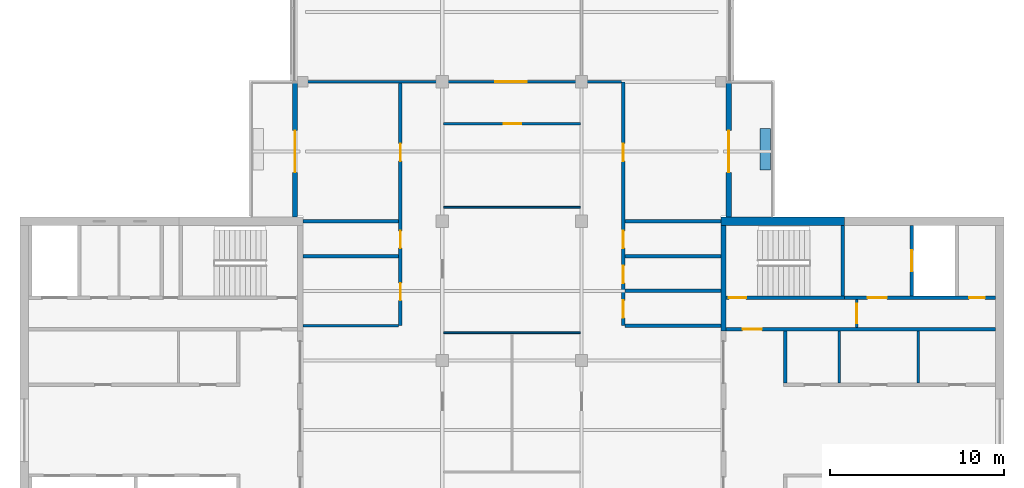
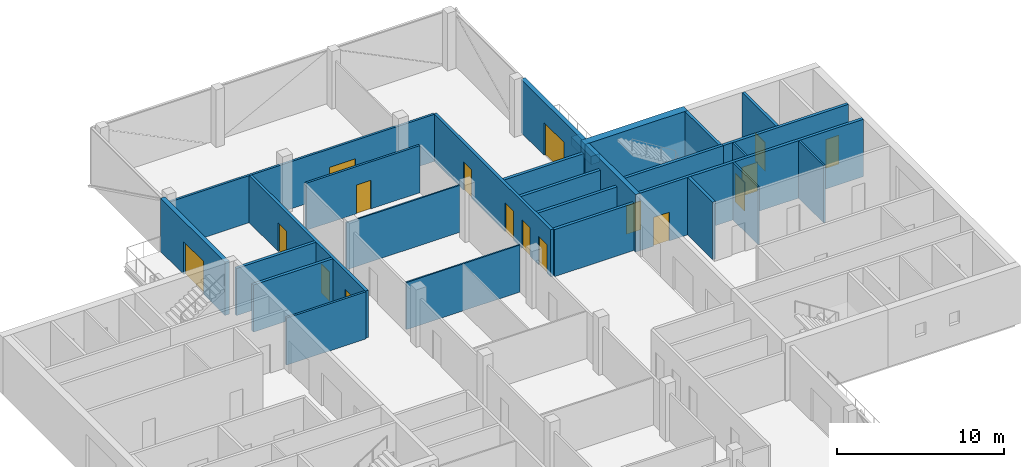
# One storey, part 8 of 12: 27 walls, 17 doors, 17 openings.
"""IFC4 building model written with IfcOpenShell, lengths in metres."""

from ifc_helpers import new_model, si_unit, direction, frame, frame_2d, origin, place, context, subcontext, project, spatial, rectangle, extrude, material, layer, layer_set, constituent, constituent_set, type_object, element, fill, save


model = new_model("IFC4")

# Units and contexts
model_context = context("Model", 3, precision=1e-05, world=origin(), true_north=direction((0.0, 1.0)))
body_context = subcontext(model_context, "Body", "Model", "MODEL_VIEW")
ifc_project = project(units=[si_unit("LENGTHUNIT", "METRE"), si_unit("AREAUNIT", "SQUARE_METRE"), si_unit("VOLUMEUNIT", "CUBIC_METRE"), si_unit("PLANEANGLEUNIT", "RADIAN"), si_unit("MASSUNIT", "GRAM", prefix="KILO")], contexts=[model_context])

# Site, building, storey
site_placement = place(None, origin())
site = spatial("IfcSite", under=ifc_project, at=site_placement, CompositionType="ELEMENT")
building_placement = place(site_placement, origin())
building = spatial("IfcBuilding", under=site, at=building_placement, Name="Crosswind Convention Tower", CompositionType="ELEMENT")
storey_placement = place(building_placement, frame((0.0, 0.0, 245.10009765625)))
storey = spatial("IfcBuildingStorey", under=building, at=storey_placement, Name="L52", CompositionType="ELEMENT", Elevation=245.10009765625)

# Wall, openings, doors
ifc_material_1 = material(Name="Concrete blockwork", Category="masonry")
ifc_layer_1 = layer(ifc_material_1, 0.199951171875)
ifc_layer_set_1 = layer_set([ifc_layer_1], Name="COMPARTMENT WALL 200 BLOCKWORK")
wall_type_1 = type_object("IfcWallType", Name="COMPARTMENT WALL 200 BLOCKWORK", PredefinedType="SOLIDWALL", material=ifc_layer_set_1)
wall_1_placement = place(storey_placement, frame((118.60009765625, 106.0, 0.0), z_axis=(0.0, 0.0, 1.0), x_axis=(0.0, 1.0, 0.0)))
wall_1 = element("IfcWall", 1, at=wall_1_placement, inside=storey, type_object=wall_type_1, Name="Compartment wall WT42", PredefinedType="SOLIDWALL", context=body_context, shape_type="SweptSolid", body=[
    extrude(rectangle(XDim=13.925048828125, YDim=0.199951171875, at=frame_2d((6.96240234375, 0.0))), origin(), (0.0, 0.0, 1.0), 3.442626953125),
])
opening_1_placement = place(wall_1_placement, frame((1.449951171875, 0.0, 0.0)))
opening_1 = element("IfcOpeningElement", 2, at=opening_1_placement, cuts=wall_1, Name="Opening L52-58", PredefinedType="OPENING", context=body_context, shape_type="SweptSolid", body=[
    extrude(rectangle(XDim=1.0, YDim=2.10009765625, at=frame_2d((0.5, 1.050048828125))), frame((0.0, 0.10986328125, 0.0), z_axis=(0.0, -1.0, 0.0), x_axis=(1.0, 0.0, 0.0)), (0.0, 0.0, 1.0), 0.219970703125),
])
opening_2_placement = place(wall_1_placement, frame((4.449951171875, 0.0, 0.0)))
opening_2 = element("IfcOpeningElement", 3, at=opening_2_placement, cuts=wall_1, Name="Opening L52-59", PredefinedType="OPENING", context=body_context, shape_type="SweptSolid", body=[
    extrude(rectangle(XDim=1.0, YDim=2.10009765625, at=frame_2d((0.5, 1.050048828125))), frame((0.0, 0.10986328125, 0.0), z_axis=(0.0, -1.0, 0.0), x_axis=(1.0, 0.0, 0.0)), (0.0, 0.0, 1.0), 0.219970703125),
])
opening_3_placement = place(wall_1_placement, frame((9.449951171875, 0.0, 0.0)))
opening_3 = element("IfcOpeningElement", 4, at=opening_3_placement, cuts=wall_1, Name="Opening L52-60", PredefinedType="OPENING", context=body_context, shape_type="SweptSolid", body=[
    extrude(rectangle(XDim=1.0, YDim=2.10009765625, at=frame_2d((0.5, 1.050048828125))), frame((0.0, 0.10986328125, 0.0), z_axis=(0.0, -1.0, 0.0), x_axis=(1.0, 0.0, 0.0)), (0.0, 0.0, 1.0), 0.219970703125),
])
ifc_material_2 = material(Name="Steel fire door", Category="steel")
door_type_1 = type_object("IfcDoorType", Name="PLANT ROOM DOOR 1000X2100 FD60", OperationType="NOTDEFINED", PredefinedType="DOOR", material=ifc_material_2)
door_1_placement = place(opening_2_placement, origin())
door_1 = element("IfcDoor", 5, at=door_1_placement, inside=storey, type_object=door_type_1, Name="Door L52-59", ObjectType="D43", OperationType="SINGLE_SWING_LEFT", OverallHeight=2.10009765625, OverallWidth=1.0, PredefinedType="DOOR", context=body_context, shape_type="SweptSolid", body=[
    extrude(rectangle(XDim=1.0, YDim=2.10009765625, at=frame_2d((0.5, 1.050048828125))), frame((0.0, 0.02490234375, 0.0), z_axis=(0.0, -1.0, 0.0), x_axis=(1.0, 0.0, 0.0)), (0.0, 0.0, 1.0), 0.050048828125),
])
fill(opening_2, door_1)
ifc_material_3 = material(Name="Timber fire door", Category="wood")
door_type_2 = type_object("IfcDoorType", Name="TENANCY ENTRANCE DOOR 1000X2100 FD30S", OperationType="NOTDEFINED", PredefinedType="DOOR", material=ifc_material_3)
door_2_placement = place(opening_1_placement, origin())
door_2 = element("IfcDoor", 6, at=door_2_placement, inside=storey, type_object=door_type_2, Name="Door L52-58", ObjectType="D41", OperationType="SINGLE_SWING_LEFT", OverallHeight=2.10009765625, OverallWidth=1.0, PredefinedType="DOOR", context=body_context, shape_type="SweptSolid", body=[
    extrude(rectangle(XDim=1.0, YDim=2.10009765625, at=frame_2d((0.5, 1.050048828125))), frame((0.0, 0.02490234375, 0.0), z_axis=(0.0, -1.0, 0.0), x_axis=(1.0, 0.0, 0.0)), (0.0, 0.0, 1.0), 0.050048828125),
])
fill(opening_1, door_2)
door_3_placement = place(opening_3_placement, origin())
door_3 = element("IfcDoor", 7, at=door_3_placement, inside=storey, type_object=door_type_2, Name="Door L52-60", ObjectType="D41", OperationType="SINGLE_SWING_LEFT", OverallHeight=2.10009765625, OverallWidth=1.0, PredefinedType="DOOR", context=body_context, shape_type="SweptSolid", body=[
    extrude(rectangle(XDim=1.0, YDim=2.10009765625, at=frame_2d((0.5, 1.050048828125))), frame((0.0, 0.02490234375, 0.0), z_axis=(0.0, -1.0, 0.0), x_axis=(1.0, 0.0, 0.0)), (0.0, 0.0, 1.0), 0.050048828125),
])
fill(opening_3, door_3)

wall_2_placement = place(storey_placement, frame((131.39990234375, 106.0, 0.0), z_axis=(0.0, 0.0, 1.0), x_axis=(0.0, 1.0, 0.0)))
wall_2 = element("IfcWall", 8, at=wall_2_placement, inside=storey, type_object=wall_type_1, Name="Compartment wall WT42", PredefinedType="SOLIDWALL", context=body_context, shape_type="SweptSolid", body=[
    extrude(rectangle(XDim=14.0, YDim=0.199951171875, at=frame_2d((7.0, 0.0))), origin(), (0.0, 0.0, 1.0), 3.442626953125),
])
opening_4_placement = place(wall_2_placement, frame((0.449951171875, 0.0, 0.0)))
opening_4 = element("IfcOpeningElement", 9, at=opening_4_placement, cuts=wall_2, Name="Opening L52-50", PredefinedType="OPENING", context=body_context, shape_type="SweptSolid", body=[
    extrude(rectangle(XDim=1.0, YDim=2.10009765625, at=frame_2d((0.5, 1.050048828125))), frame((0.0, 0.10986328125, 0.0), z_axis=(0.0, -1.0, 0.0), x_axis=(1.0, 0.0, 0.0)), (0.0, 0.0, 1.0), 0.219970703125),
])
opening_5_placement = place(wall_2_placement, frame((2.449951171875, 0.0, 0.0)))
opening_5 = element("IfcOpeningElement", 10, at=opening_5_placement, cuts=wall_2, Name="Opening L52-51", PredefinedType="OPENING", context=body_context, shape_type="SweptSolid", body=[
    extrude(rectangle(XDim=1.0, YDim=2.10009765625, at=frame_2d((0.5, 1.050048828125))), frame((0.0, 0.10986328125, 0.0), z_axis=(0.0, -1.0, 0.0), x_axis=(1.0, 0.0, 0.0)), (0.0, 0.0, 1.0), 0.219970703125),
])
opening_6_placement = place(wall_2_placement, frame((4.449951171875, 0.0, 0.0)))
opening_6 = element("IfcOpeningElement", 11, at=opening_6_placement, cuts=wall_2, Name="Opening L52-52", PredefinedType="OPENING", context=body_context, shape_type="SweptSolid", body=[
    extrude(rectangle(XDim=1.0, YDim=2.10009765625, at=frame_2d((0.5, 1.050048828125))), frame((0.0, 0.10986328125, 0.0), z_axis=(0.0, -1.0, 0.0), x_axis=(1.0, 0.0, 0.0)), (0.0, 0.0, 1.0), 0.219970703125),
])
opening_7_placement = place(wall_2_placement, frame((9.449951171875, 0.0, 0.0)))
opening_7 = element("IfcOpeningElement", 12, at=opening_7_placement, cuts=wall_2, Name="Opening L52-53", PredefinedType="OPENING", context=body_context, shape_type="SweptSolid", body=[
    extrude(rectangle(XDim=1.0, YDim=2.10009765625, at=frame_2d((0.5, 1.050048828125))), frame((0.0, 0.10986328125, 0.0), z_axis=(0.0, -1.0, 0.0), x_axis=(1.0, 0.0, 0.0)), (0.0, 0.0, 1.0), 0.219970703125),
])
door_4_placement = place(opening_4_placement, frame((1.0, 0.0, 0.0), z_axis=(0.0, 0.0, 1.0), x_axis=(-1.0, 0.0, 0.0)))
door_4 = element("IfcDoor", 13, at=door_4_placement, inside=storey, type_object=door_type_1, Name="Door L52-50", ObjectType="D43", OperationType="SINGLE_SWING_RIGHT", OverallHeight=2.10009765625, OverallWidth=1.0, PredefinedType="DOOR", context=body_context, shape_type="SweptSolid", body=[
    extrude(rectangle(XDim=1.0, YDim=2.10009765625, at=frame_2d((0.5, 1.050048828125))), frame((0.0, 0.02490234375, 0.0), z_axis=(0.0, -1.0, 0.0), x_axis=(1.0, 0.0, 0.0)), (0.0, 0.0, 1.0), 0.050048828125),
])
fill(opening_4, door_4)
door_5_placement = place(opening_6_placement, frame((1.0, 0.0, 0.0), z_axis=(0.0, 0.0, 1.0), x_axis=(-1.0, 0.0, 0.0)))
door_5 = element("IfcDoor", 14, at=door_5_placement, inside=storey, type_object=door_type_1, Name="Door L52-52", ObjectType="D43", OperationType="SINGLE_SWING_RIGHT", OverallHeight=2.10009765625, OverallWidth=1.0, PredefinedType="DOOR", context=body_context, shape_type="SweptSolid", body=[
    extrude(rectangle(XDim=1.0, YDim=2.10009765625, at=frame_2d((0.5, 1.050048828125))), frame((0.0, 0.02490234375, 0.0), z_axis=(0.0, -1.0, 0.0), x_axis=(1.0, 0.0, 0.0)), (0.0, 0.0, 1.0), 0.050048828125),
])
fill(opening_6, door_5)
door_6_placement = place(opening_5_placement, frame((1.0, 0.0, 0.0), z_axis=(0.0, 0.0, 1.0), x_axis=(-1.0, 0.0, 0.0)))
door_6 = element("IfcDoor", 15, at=door_6_placement, inside=storey, type_object=door_type_2, Name="Door L52-51", ObjectType="D41", OperationType="SINGLE_SWING_RIGHT", OverallHeight=2.10009765625, OverallWidth=1.0, PredefinedType="DOOR", context=body_context, shape_type="SweptSolid", body=[
    extrude(rectangle(XDim=1.0, YDim=2.10009765625, at=frame_2d((0.5, 1.050048828125))), frame((0.0, 0.02490234375, 0.0), z_axis=(0.0, -1.0, 0.0), x_axis=(1.0, 0.0, 0.0)), (0.0, 0.0, 1.0), 0.050048828125),
])
fill(opening_5, door_6)
door_7_placement = place(opening_7_placement, origin())
door_7 = element("IfcDoor", 16, at=door_7_placement, inside=storey, type_object=door_type_2, Name="Door L52-53", ObjectType="D41", OperationType="SINGLE_SWING_RIGHT", OverallHeight=2.10009765625, OverallWidth=1.0, PredefinedType="DOOR", context=body_context, shape_type="SweptSolid", body=[
    extrude(rectangle(XDim=1.0, YDim=2.10009765625, at=frame_2d((0.5, 1.050048828125))), frame((0.0, 0.02490234375, 0.0), z_axis=(0.0, -1.0, 0.0), x_axis=(1.0, 0.0, 0.0)), (0.0, 0.0, 1.0), 0.050048828125),
])
fill(opening_7, door_7)

# Walls
for number, where, z_axis, x_axis, name in (
    (17, (131.5, 106.0, 0.0), (0.0, 0.0, 1.0), (1.0, 0.0, 0.0), "Compartment wall WT42"),
    (18, (131.5, 108.0, 0.0), (0.0, 0.0, 1.0), (1.0, 0.0, 0.0), "Compartment wall WT42"),
    (19, (113.0, 110.0, 0.0), (0.0, 0.0, 1.0), (1.0, 0.0, 0.0), "Compartment wall WT42"),
    (20, (131.5, 110.0, 0.0), (0.0, 0.0, 1.0), (1.0, 0.0, 0.0), "Compartment wall WT42"),
    (21, (113.0, 112.0, 0.0), (0.0, 0.0, 1.0), (1.0, 0.0, 0.0), "Compartment wall WT42"),
    (22, (131.5, 112.0, 0.0), (0.0, 0.0, 1.0), (1.0, 0.0, 0.0), "Compartment wall WT42"),
):
    element("IfcWall", number, at=place(storey_placement, frame(where, z_axis=z_axis, x_axis=x_axis)), inside=storey, type_object=wall_type_1, Name=name, PredefinedType="SOLIDWALL", context=body_context, shape_type="SweptSolid", body=[
        extrude(rectangle(XDim=5.5, YDim=0.199951171875, at=frame_2d((2.75, 0.0))), origin(), (0.0, 0.0, 1.0), 3.442626953125),
    ])
ifc_material_4 = material(Name="Concrete C50/60", Category="concrete")
ifc_layer_2 = layer(ifc_material_4, 0.300048828125)
ifc_layer_set_2 = layer_set([ifc_layer_2], Name="Concrete C50/60")
wall_type_2 = type_object("IfcWallType", Name="Concrete inner core wall 300", PredefinedType="SHEAR", material=ifc_layer_set_2)
wall_3_placement = place(storey_placement, frame((137.14990234375, 105.699951171875, 0.0), z_axis=(0.0, 0.0, 1.0), x_axis=(0.0, 1.0, 0.0)))
element("IfcWall", 23, at=wall_3_placement, inside=storey, type_object=wall_type_2, Name="Wall EP E L52", PredefinedType="SHEAR", context=body_context, shape_type="SweptSolid", body=[
    extrude(rectangle(XDim=6.050048828125, YDim=0.300048828125, at=frame_2d((3.02490234375, 0.0))), origin(), (0.0, 0.0, 1.0), 4.199951171875),
])
ifc_layer_3 = layer(ifc_material_4, 0.199951171875)
ifc_layer_set_3 = layer_set([ifc_layer_3], Name="Concrete C50/60")
wall_type_3 = type_object("IfcWallType", Name="Concrete shaft and stair wall 200", PredefinedType="SHEAR", material=ifc_layer_set_3)
wall_4_placement = place(storey_placement, frame((140.699951171875, 102.699951171875, 0.0), z_axis=(0.0, 0.0, 1.0), x_axis=(0.0, 1.0, 0.0)))
element("IfcWall", 24, at=wall_4_placement, inside=storey, type_object=wall_type_3, Name="Wall RPEND E L52", PredefinedType="SHEAR", context=body_context, shape_type="SweptSolid", body=[
    extrude(rectangle(XDim=3.0, YDim=0.199951171875, at=frame_2d((1.5, 0.0))), origin(), (0.0, 0.0, 1.0), 4.199951171875),
])

# Wall, opening, door
wall_5_placement = place(storey_placement, frame((137.300048828125, 105.800048828125, 0.0), z_axis=(0.0, 0.0, 1.0), x_axis=(1.0, 0.0, 0.0)))
wall_5 = element("IfcWall", 25, at=wall_5_placement, inside=storey, type_object=wall_type_3, Name="Wall HP E L52", PredefinedType="SHEAR", context=body_context, shape_type="SweptSolid", body=[
    extrude(rectangle(XDim=15.449951171875, YDim=0.199951171875, at=frame_2d((7.72509765625, 0.0))), origin(), (0.0, 0.0, 1.0), 4.199951171875),
])
opening_8_placement = place(wall_5_placement, frame((0.949951171875, 0.0, 0.0)))
opening_8 = element("IfcOpeningElement", 26, at=opening_8_placement, cuts=wall_5, Name="Opening D104", PredefinedType="OPENING", context=body_context, shape_type="SweptSolid", body=[
    extrude(rectangle(XDim=1.10009765625, YDim=2.10009765625, at=frame_2d((0.550048828125, 1.050048828125))), frame((0.0, 0.10986328125, 0.0), z_axis=(0.0, -1.0, 0.0), x_axis=(1.0, 0.0, 0.0)), (0.0, 0.0, 1.0), 0.219970703125),
])
door_type_3 = type_object("IfcDoorType", Name="Fire-rated single door 1100x2100", OperationType="NOTDEFINED", PredefinedType="DOOR", material=ifc_material_2)
door_8_placement = place(opening_8_placement, origin())
door_8 = element("IfcDoor", 27, at=door_8_placement, inside=storey, type_object=door_type_3, Name="Corridor door L52", ObjectType="D104", OperationType="SINGLE_SWING_LEFT", OverallHeight=2.10009765625, OverallWidth=1.10009765625, PredefinedType="DOOR", context=body_context, shape_type="SweptSolid", body=[
    extrude(rectangle(XDim=1.10009765625, YDim=2.10009765625, at=frame_2d((0.550048828125, 1.050048828125))), frame((0.0, 0.02490234375, 0.0), z_axis=(0.0, -1.0, 0.0), x_axis=(1.0, 0.0, 0.0)), (0.0, 0.0, 1.0), 0.050048828125),
])
fill(opening_8, door_8)

# Wall
wall_6_placement = place(storey_placement, frame((144.0, 107.699951171875, 0.0), z_axis=(0.0, 0.0, 1.0), x_axis=(0.0, 1.0, 0.0)))
element("IfcWall", 28, at=wall_6_placement, inside=storey, type_object=wall_type_3, Name="Wall PSE E L52", PredefinedType="SHEAR", context=body_context, shape_type="SweptSolid", body=[
    extrude(rectangle(XDim=4.050048828125, YDim=0.199951171875, at=frame_2d((2.02490234375, 0.0))), origin(), (0.0, 0.0, 1.0), 4.199951171875),
])

# Wall, opening, door
wall_7_placement = place(storey_placement, frame((147.949951171875, 107.699951171875, 0.0), z_axis=(0.0, 0.0, 1.0), x_axis=(0.0, 1.0, 0.0)))
wall_7 = element("IfcWall", 29, at=wall_7_placement, inside=storey, type_object=wall_type_3, Name="Wall PFLW E L52", PredefinedType="SHEAR", context=body_context, shape_type="SweptSolid", body=[
    extrude(rectangle(XDim=4.050048828125, YDim=0.199951171875, at=frame_2d((2.02490234375, 0.0))), origin(), (0.0, 0.0, 1.0), 4.199951171875),
])
opening_9_placement = place(wall_7_placement, frame((1.425048828125, 0.0, 0.0)))
opening_9 = element("IfcOpeningElement", 30, at=opening_9_placement, cuts=wall_7, Name="Opening LD1", PredefinedType="OPENING", context=body_context, shape_type="SweptSolid", body=[
    extrude(rectangle(XDim=1.199951171875, YDim=2.10009765625, at=frame_2d((0.60009765625, 1.050048828125))), frame((0.0, 0.10986328125, 0.0), z_axis=(0.0, -1.0, 0.0), x_axis=(1.0, 0.0, 0.0)), (0.0, 0.0, 1.0), 0.219970703125),
])
ifc_material_5 = material(Name="Stainless steel", Category="steel")
door_type_4 = type_object("IfcDoorType", Name="Lift landing door 1200x2100", OperationType="DOUBLE_DOOR_SLIDING", PredefinedType="DOOR", material=ifc_material_5)
door_9_placement = place(opening_9_placement, origin())
door_9 = element("IfcDoor", 31, at=door_9_placement, inside=storey, type_object=door_type_4, Name="Landing door FF1 L52", ObjectType="LD1", OperationType="DOUBLE_DOOR_SLIDING", OverallHeight=2.10009765625, OverallWidth=1.199951171875, PredefinedType="DOOR", context=body_context, shape_type="SweptSolid", body=[
    extrude(rectangle(XDim=1.199951171875, YDim=2.10009765625, at=frame_2d((0.60009765625, 1.050048828125))), frame((0.0, 0.02490234375, 0.0), z_axis=(0.0, -1.0, 0.0), x_axis=(1.0, 0.0, 0.0)), (0.0, 0.0, 1.0), 0.050048828125),
])
fill(opening_9, door_9)

wall_8_placement = place(storey_placement, frame((137.300048828125, 107.60009765625, 0.0), z_axis=(0.0, 0.0, 1.0), x_axis=(1.0, 0.0, 0.0)))
wall_8 = element("IfcWall", 32, at=wall_8_placement, inside=storey, type_object=wall_type_3, Name="Wall PCW E L52", PredefinedType="SHEAR", context=body_context, shape_type="SweptSolid", body=[
    extrude(rectangle(XDim=6.800048828125, YDim=0.199951171875, at=frame_2d((3.39990234375, 0.0))), origin(), (0.0, 0.0, 1.0), 4.199951171875),
])
opening_10_placement = place(wall_8_placement, frame((0.14990234375, 0.0, 0.0)))
opening_10 = element("IfcOpeningElement", 33, at=opening_10_placement, cuts=wall_8, Name="Opening D103", PredefinedType="OPENING", context=body_context, shape_type="SweptSolid", body=[
    extrude(rectangle(XDim=1.0, YDim=2.10009765625, at=frame_2d((0.5, 1.050048828125))), frame((0.0, 0.10986328125, 0.0), z_axis=(0.0, -1.0, 0.0), x_axis=(1.0, 0.0, 0.0)), (0.0, 0.0, 1.0), 0.219970703125),
])
door_type_5 = type_object("IfcDoorType", Name="Fire-rated single door 1000x2100", OperationType="NOTDEFINED", PredefinedType="DOOR", material=ifc_material_2)
door_10_placement = place(opening_10_placement, origin())
door_10 = element("IfcDoor", 34, at=door_10_placement, inside=storey, type_object=door_type_5, Name="Stair ST1 door L52", ObjectType="D103", OperationType="SINGLE_SWING_LEFT", OverallHeight=2.10009765625, OverallWidth=1.0, PredefinedType="DOOR", context=body_context, shape_type="SweptSolid", body=[
    extrude(rectangle(XDim=1.0, YDim=2.10009765625, at=frame_2d((0.5, 1.050048828125))), frame((0.0, 0.02490234375, 0.0), z_axis=(0.0, -1.0, 0.0), x_axis=(1.0, 0.0, 0.0)), (0.0, 0.0, 1.0), 0.050048828125),
])
fill(opening_10, door_10)

# Wall, openings, doors
wall_9_placement = place(storey_placement, frame((144.10009765625, 107.60009765625, 0.0), z_axis=(0.0, 0.0, 1.0), x_axis=(1.0, 0.0, 0.0)))
wall_9 = element("IfcWall", 35, at=wall_9_placement, inside=storey, type_object=wall_type_3, Name="Wall PCX E L52", PredefinedType="SHEAR", context=body_context, shape_type="SweptSolid", body=[
    extrude(rectangle(XDim=8.64990234375, YDim=0.199951171875, at=frame_2d((4.324951171875, 0.0))), origin(), (0.0, 0.0, 1.0), 4.199951171875),
])
opening_11_placement = place(wall_9_placement, frame((1.324951171875, 0.0, 0.0)))
opening_11 = element("IfcOpeningElement", 36, at=opening_11_placement, cuts=wall_9, Name="Opening D104", PredefinedType="OPENING", context=body_context, shape_type="SweptSolid", body=[
    extrude(rectangle(XDim=1.10009765625, YDim=2.10009765625, at=frame_2d((0.550048828125, 1.050048828125))), frame((0.0, 0.10986328125, 0.0), z_axis=(0.0, -1.0, 0.0), x_axis=(1.0, 0.0, 0.0)), (0.0, 0.0, 1.0), 0.219970703125),
])
opening_12_placement = place(wall_9_placement, frame((7.14990234375, 0.0, 0.0)))
opening_12 = element("IfcOpeningElement", 37, at=opening_12_placement, cuts=wall_9, Name="Opening D106", PredefinedType="OPENING", context=body_context, shape_type="SweptSolid", body=[
    extrude(rectangle(XDim=0.89990234375, YDim=2.10009765625, at=frame_2d((0.449951171875, 1.050048828125))), frame((0.0, 0.10986328125, 0.0), z_axis=(0.0, -1.0, 0.0), x_axis=(1.0, 0.0, 0.0)), (0.0, 0.0, 1.0), 0.219970703125),
])
door_11_placement = place(opening_11_placement, origin())
door_11 = element("IfcDoor", 38, at=door_11_placement, inside=storey, type_object=door_type_3, Name="Fire-fighting lobby FF1 door L52", ObjectType="D104", OperationType="SINGLE_SWING_RIGHT", OverallHeight=2.10009765625, OverallWidth=1.10009765625, PredefinedType="DOOR", context=body_context, shape_type="SweptSolid", body=[
    extrude(rectangle(XDim=1.10009765625, YDim=2.10009765625, at=frame_2d((0.550048828125, 1.050048828125))), frame((0.0, 0.02490234375, 0.0), z_axis=(0.0, -1.0, 0.0), x_axis=(1.0, 0.0, 0.0)), (0.0, 0.0, 1.0), 0.050048828125),
])
fill(opening_11, door_11)
ifc_material_6 = material(Name="Timber door", Category="wood")
door_type_6 = type_object("IfcDoorType", Name="Single leaf door 900x2100", OperationType="NOTDEFINED", PredefinedType="DOOR", material=ifc_material_6)
door_12_placement = place(opening_12_placement, origin())
door_12 = element("IfcDoor", 39, at=door_12_placement, inside=storey, type_object=door_type_6, Name="Door to electrical room L52", ObjectType="D106", OperationType="SINGLE_SWING_RIGHT", OverallHeight=2.10009765625, OverallWidth=0.89990234375, PredefinedType="DOOR", context=body_context, shape_type="SweptSolid", body=[
    extrude(rectangle(XDim=0.89990234375, YDim=2.10009765625, at=frame_2d((0.449951171875, 1.050048828125))), frame((0.0, 0.02490234375, 0.0), z_axis=(0.0, -1.0, 0.0), x_axis=(1.0, 0.0, 0.0)), (0.0, 0.0, 1.0), 0.050048828125),
])
fill(opening_12, door_12)

# Walls
ifc_material_7 = material(Name="Gypsum plasterboard partition", Category="gypsum")
ifc_layer_4 = layer(ifc_material_7, 0.125)
ifc_layer_set_4 = layer_set([ifc_layer_4], Name="Drywall partition wall 125")
wall_type_4 = type_object("IfcWallType", Name="Drywall partition wall 125", PredefinedType="PARTITIONING", material=ifc_layer_set_4)
for number, where, z_axis, x_axis, name in (
    (40, (143.78759765625, 102.699951171875, 0.0), (0.0, 0.0, 1.0), (0.0, 1.0, 0.0), "Wall RPP1 E L52"),
    (41, (148.32861328125, 102.699951171875, 0.0), (0.0, 0.0, 1.0), (0.0, 1.0, 0.0), "Wall RPP2 E L52"),
):
    element("IfcWall", number, at=place(storey_placement, frame(where, z_axis=z_axis, x_axis=x_axis)), inside=storey, type_object=wall_type_4, Name=name, PredefinedType="PARTITIONING", context=body_context, shape_type="SweptSolid", body=[
        extrude(rectangle(XDim=3.0, YDim=0.125, at=frame_2d((1.5, 0.0))), origin(), (0.0, 0.0, 1.0), 4.199951171875),
    ])

# Wall, opening, door
wall_10_placement = place(storey_placement, frame((144.800048828125, 105.89990234375, 0.0), z_axis=(0.0, 0.0, 1.0), x_axis=(0.0, 1.0, 0.0)))
wall_10 = element("IfcWall", 42, at=wall_10_placement, inside=storey, type_object=wall_type_4, Name="Wall PXC1 E L52", PredefinedType="PARTITIONING", context=body_context, shape_type="SweptSolid", body=[
    extrude(rectangle(XDim=1.60009765625, YDim=0.125, at=frame_2d((0.800048828125, 0.0))), origin(), (0.0, 0.0, 1.0), 4.199951171875),
])
opening_13_placement = place(wall_10_placement, frame((0.25, 0.0, 0.0)))
opening_13 = element("IfcOpeningElement", 43, at=opening_13_placement, cuts=wall_10, Name="Opening D104", PredefinedType="OPENING", context=body_context, shape_type="SweptSolid", body=[
    extrude(rectangle(XDim=1.10009765625, YDim=2.10009765625, at=frame_2d((0.550048828125, 1.050048828125))), frame((0.0, 0.072509765625, 0.0), z_axis=(0.0, -1.0, 0.0), x_axis=(1.0, 0.0, 0.0)), (0.0, 0.0, 1.0), 0.14501953125),
])
door_13_placement = place(opening_13_placement, origin())
door_13 = element("IfcDoor", 44, at=door_13_placement, inside=storey, type_object=door_type_3, Name="Corridor smoke door L52", ObjectType="D104", OperationType="SINGLE_SWING_RIGHT", OverallHeight=2.10009765625, OverallWidth=1.10009765625, PredefinedType="DOOR", context=body_context, shape_type="SweptSolid", body=[
    extrude(rectangle(XDim=1.10009765625, YDim=2.10009765625, at=frame_2d((0.550048828125, 1.050048828125))), frame((0.0, 0.02490234375, 0.0), z_axis=(0.0, -1.0, 0.0), x_axis=(1.0, 0.0, 0.0)), (0.0, 0.0, 1.0), 0.050048828125),
])
fill(opening_13, door_13)

# Walls
ifc_material_8 = material(Name="Plasterboard partition", Category="gypsum")
ifc_layer_5 = layer(ifc_material_8, 0.10009765625)
ifc_layer_set_5 = layer_set([ifc_layer_5], Name="PARTITION 100 METAL STUD")
wall_type_5 = type_object("IfcWallType", Name="PARTITION 100 METAL STUD", PredefinedType="PARTITIONING", material=ifc_layer_set_5)
for number, where, z_axis, x_axis, name in (
    (45, (121.074951171875, 105.60009765625, 0.0), (0.0, 0.0, 1.0), (1.0, 0.0, 0.0), "Partition wall WT40"),
    (46, (121.074951171875, 112.800048828125, 0.0), (0.0, 0.0, 1.0), (1.0, 0.0, 0.0), "Partition wall WT40"),
):
    element("IfcWall", number, at=place(storey_placement, frame(where, z_axis=z_axis, x_axis=x_axis)), inside=storey, type_object=wall_type_5, Name=name, PredefinedType="PARTITIONING", context=body_context, shape_type="SweptSolid", body=[
        extrude(rectangle(XDim=7.85009765625, YDim=0.10009765625, at=frame_2d((3.925048828125, 0.0))), origin(), (0.0, 0.0, 1.0), 3.442626953125),
    ])
ifc_material_9 = material(Name="Concrete C30/37", Category="concrete")
ifc_layer_6 = layer(ifc_material_9, 0.60009765625)
ifc_layer_set_6 = layer_set([ifc_layer_6], Name="Concrete C30/37")
wall_type_6 = type_object("IfcWallType", Name="PLANTER BOX WALL 600", PredefinedType="SOLIDWALL", material=ifc_layer_set_6)
wall_11_placement = place(storey_placement, frame((139.550048828125, 114.925048828125, 0.0), z_axis=(0.0, 0.0, 1.0), x_axis=(0.0, 1.0, 0.0)))
element("IfcWall", 47, at=wall_11_placement, inside=storey, type_object=wall_type_6, Name="PLANTER L52 N-E.1-1", PredefinedType="SOLIDWALL", context=body_context, shape_type="SweptSolid", body=[
    extrude(rectangle(XDim=2.39990234375, YDim=0.60009765625, at=frame_2d((1.199951171875, 0.0))), origin(), (0.0, 0.0, 1.0), 0.599853515625),
])
ifc_material_10 = material(Name="Fire-board partition with mineral wool", Category="gypsum")
ifc_layer_7 = layer(ifc_material_10, 0.14990234375)
ifc_layer_set_7 = layer_set([ifc_layer_7], Name="TENANCY WALL 150 TWO-HOUR BOARD")
wall_type_7 = type_object("IfcWallType", Name="TENANCY WALL 150 TWO-HOUR BOARD", PredefinedType="PARTITIONING", material=ifc_layer_set_7)
wall_12_placement = place(storey_placement, frame((113.0, 106.0, 0.0), z_axis=(0.0, 0.0, 1.0), x_axis=(1.0, 0.0, 0.0)))
element("IfcWall", 48, at=wall_12_placement, inside=storey, type_object=wall_type_7, Name="Tenancy wall WT41", PredefinedType="PARTITIONING", context=body_context, shape_type="SweptSolid", body=[
    extrude(rectangle(XDim=5.5, YDim=0.14990234375, at=frame_2d((2.75, 0.0))), origin(), (0.0, 0.0, 1.0), 3.442626953125),
])

# Wall, opening, door
wall_13_placement = place(storey_placement, frame((121.074951171875, 117.60009765625, 0.0), z_axis=(0.0, 0.0, 1.0), x_axis=(1.0, 0.0, 0.0)))
wall_13 = element("IfcWall", 49, at=wall_13_placement, inside=storey, type_object=wall_type_7, Name="Tenancy wall WT41", PredefinedType="PARTITIONING", context=body_context, shape_type="SweptSolid", body=[
    extrude(rectangle(XDim=7.85009765625, YDim=0.14990234375, at=frame_2d((3.925048828125, 0.0))), origin(), (0.0, 0.0, 1.0), 3.442626953125),
])
opening_14_placement = place(wall_13_placement, frame((3.449951171875, 0.0, 0.0)))
opening_14 = element("IfcOpeningElement", 50, at=opening_14_placement, cuts=wall_13, Name="Opening L52-72", PredefinedType="OPENING", context=body_context, shape_type="SweptSolid", body=[
    extrude(rectangle(XDim=1.0, YDim=2.10009765625, at=frame_2d((0.5, 1.050048828125))), frame((0.0, 0.0849609375, 0.0), z_axis=(0.0, -1.0, 0.0), x_axis=(1.0, 0.0, 0.0)), (0.0, 0.0, 1.0), 0.169921875),
])
door_14_placement = place(opening_14_placement, frame((1.0, 0.0, 0.0), z_axis=(0.0, 0.0, 1.0), x_axis=(-1.0, 0.0, 0.0)))
door_14 = element("IfcDoor", 51, at=door_14_placement, inside=storey, type_object=door_type_2, Name="Door L52-72", ObjectType="D41", OperationType="SINGLE_SWING_LEFT", OverallHeight=2.10009765625, OverallWidth=1.0, PredefinedType="DOOR", context=body_context, shape_type="SweptSolid", body=[
    extrude(rectangle(XDim=1.0, YDim=2.10009765625, at=frame_2d((0.5, 1.050048828125))), frame((0.0, 0.02490234375, 0.0), z_axis=(0.0, -1.0, 0.0), x_axis=(1.0, 0.0, 0.0)), (0.0, 0.0, 1.0), 0.050048828125),
])
fill(opening_14, door_14)

wall_14_placement = place(storey_placement, frame((112.72998046875, 120.0, 0.0), z_axis=(0.0, 0.0, 1.0), x_axis=(1.0, 0.0, 0.0)))
wall_14 = element("IfcWall", 52, at=wall_14_placement, inside=storey, type_object=wall_type_7, Name="Tenancy wall WT41", PredefinedType="PARTITIONING", context=body_context, shape_type="SweptSolid", body=[
    extrude(rectangle(XDim=18.570068359375, YDim=0.14990234375, at=frame_2d((9.28515625, 0.0))), origin(), (0.0, 0.0, 1.0), 3.442626953125),
])
opening_15_placement = place(wall_14_placement, frame((11.320068359375, 0.0, 0.0)))
opening_15 = element("IfcOpeningElement", 53, at=opening_15_placement, cuts=wall_14, Name="Opening L52-65", PredefinedType="OPENING", context=body_context, shape_type="SweptSolid", body=[
    extrude(rectangle(XDim=1.800048828125, YDim=2.10009765625, at=frame_2d((0.89990234375, 1.050048828125))), frame((0.0, 0.0849609375, 0.0), z_axis=(0.0, -1.0, 0.0), x_axis=(1.0, 0.0, 0.0)), (0.0, 0.0, 1.0), 0.169921875),
])
door_type_7 = type_object("IfcDoorType", Name="TENANCY ENTRANCE DOUBLE DOOR 1800X2100 FD30S", OperationType="DOUBLE_DOOR_SINGLE_SWING", PredefinedType="DOOR", material=ifc_material_3)
door_15_placement = place(opening_15_placement, origin())
door_15 = element("IfcDoor", 54, at=door_15_placement, inside=storey, type_object=door_type_7, Name="Door L52-65", ObjectType="D42", OperationType="DOUBLE_DOOR_SINGLE_SWING", OverallHeight=2.10009765625, OverallWidth=1.800048828125, PredefinedType="DOOR", context=body_context, shape_type="SweptSolid", body=[
    extrude(rectangle(XDim=1.800048828125, YDim=2.10009765625, at=frame_2d((0.89990234375, 1.050048828125))), frame((0.0, 0.02490234375, 0.0), z_axis=(0.0, -1.0, 0.0), x_axis=(1.0, 0.0, 0.0)), (0.0, 0.0, 1.0), 0.050048828125),
])
fill(opening_15, door_15)

ifc_material_11 = material(Name="Terracotta rainscreen", Category="ceramic")
ifc_layer_8 = layer(ifc_material_11, 0.02001953125)
ifc_material_12 = material(Name="Mineral wool insulation", Category="insulation")
ifc_layer_9 = layer(ifc_material_12, 0.10009765625)
ifc_layer_10 = layer(ifc_material_1, 0.179931640625)
ifc_layer_set_8 = layer_set([ifc_layer_8, ifc_layer_9, ifc_layer_10], Name="TERRACOTTA INFILL WALL 300")
wall_type_8 = type_object("IfcWallType", Name="TERRACOTTA INFILL WALL 300", PredefinedType="SOLIDWALL", material=ifc_layer_set_8)
wall_15_placement = place(storey_placement, frame((137.449951171875, 112.25, 0.0), z_axis=(0.0, 0.0, 1.0), x_axis=(0.0, 1.0, 0.0)))
wall_15 = element("IfcWall", 55, at=wall_15_placement, inside=storey, type_object=wall_type_8, Name="Notch front wall L52 N-E.1-1", PredefinedType="SOLIDWALL", context=body_context, shape_type="SweptSolid", body=[
    extrude(rectangle(XDim=7.715087890625, YDim=0.300048828125, at=frame_2d((3.857421875, 0.0))), origin(), (0.0, 0.0, 1.0), 3.89990234375),
])
opening_16_placement = place(wall_15_placement, frame((2.550048828125, 0.0, 0.0)))
opening_16 = element("IfcOpeningElement", 56, at=opening_16_placement, cuts=wall_15, Name="Opening D143", PredefinedType="OPENING", context=body_context, shape_type="SweptSolid", body=[
    extrude(rectangle(XDim=2.39990234375, YDim=2.39990234375, at=frame_2d((1.199951171875, 1.199951171875))), frame((0.0, 0.159912109375, 0.0), z_axis=(0.0, -1.0, 0.0), x_axis=(1.0, 0.0, 0.0)), (0.0, 0.0, 1.0), 0.320068359375),
])
ifc_material_13 = material(Name="Aluminium glazed door", Category="aluminium")
door_type_8 = type_object("IfcDoorType", Name="WINTER GARDEN SLIDING DOOR 2400X2400", OperationType="SLIDING_TO_LEFT", PredefinedType="DOOR", material=ifc_material_13)
door_16_placement = place(opening_16_placement, frame((2.39990234375, 0.0, 0.0), z_axis=(0.0, 0.0, 1.0), x_axis=(-1.0, 0.0, 0.0)))
door_16 = element("IfcDoor", 57, at=door_16_placement, inside=storey, type_object=door_type_8, Name="D143 winter garden door L52 N-E.1-1", ObjectType="D143", OperationType="SLIDING_TO_LEFT", OverallHeight=2.39990234375, OverallWidth=2.39990234375, PredefinedType="DOOR", context=body_context, shape_type="SweptSolid", body=[
    extrude(rectangle(XDim=2.39990234375, YDim=2.39990234375, at=frame_2d((1.199951171875, 1.199951171875))), frame((0.0, 0.02490234375, 0.0), z_axis=(0.0, -1.0, 0.0), x_axis=(1.0, 0.0, 0.0)), (0.0, 0.0, 1.0), 0.050048828125),
])
fill(opening_16, door_16)

wall_16_placement = place(storey_placement, frame((112.550048828125, 119.965087890625, 0.0), z_axis=(0.0, 0.0, 1.0), x_axis=(0.0, -1.0, 0.0)))
wall_16 = element("IfcWall", 58, at=wall_16_placement, inside=storey, type_object=wall_type_8, Name="Notch front wall L52 N-W.1-2", PredefinedType="SOLIDWALL", context=body_context, shape_type="SweptSolid", body=[
    extrude(rectangle(XDim=7.715087890625, YDim=0.300048828125, at=frame_2d((3.857421875, 0.0))), origin(), (0.0, 0.0, 1.0), 3.89990234375),
])
opening_17_placement = place(wall_16_placement, frame((2.764892578125, 0.0, 0.0)))
opening_17 = element("IfcOpeningElement", 59, at=opening_17_placement, cuts=wall_16, Name="Opening D143", PredefinedType="OPENING", context=body_context, shape_type="SweptSolid", body=[
    extrude(rectangle(XDim=2.39990234375, YDim=2.39990234375, at=frame_2d((1.199951171875, 1.199951171875))), frame((0.0, 0.159912109375, 0.0), z_axis=(0.0, -1.0, 0.0), x_axis=(1.0, 0.0, 0.0)), (0.0, 0.0, 1.0), 0.320068359375),
])
door_17_placement = place(opening_17_placement, frame((2.39990234375, 0.0, 0.0), z_axis=(0.0, 0.0, 1.0), x_axis=(-1.0, 0.0, 0.0)))
door_17 = element("IfcDoor", 60, at=door_17_placement, inside=storey, type_object=door_type_8, Name="D143 winter garden door L52 N-W.1-2", ObjectType="D143", OperationType="SLIDING_TO_LEFT", OverallHeight=2.39990234375, OverallWidth=2.39990234375, PredefinedType="DOOR", context=body_context, shape_type="SweptSolid", body=[
    extrude(rectangle(XDim=2.39990234375, YDim=2.39990234375, at=frame_2d((1.199951171875, 1.199951171875))), frame((0.0, 0.02490234375, 0.0), z_axis=(0.0, -1.0, 0.0), x_axis=(1.0, 0.0, 0.0)), (0.0, 0.0, 1.0), 0.050048828125),
])
fill(opening_17, door_17)

# Wall
ifc_material_14 = material(Name="Concrete C60/75", Category="concrete")
ifc_constituent_1 = constituent(ifc_material_14, Name="Structure")
ifc_constituent_2 = constituent(ifc_material_11, Name="Facing")
ifc_constituent_set = constituent_set(constituents=[ifc_constituent_1, ifc_constituent_2], Name="Concrete C60/75, Terracotta rainscreen")
wall_type_9 = type_object("IfcWallType", Name="Terracotta rainscreen on concrete core wall 500", PredefinedType="SHEAR", material=ifc_constituent_set)
wall_17_placement = place(storey_placement, frame((137.0, 112.0, 0.0), z_axis=(0.0, 0.0, 1.0), x_axis=(1.0, 0.0, 0.0)))
element("IfcWall", 61, at=wall_17_placement, inside=storey, type_object=wall_type_9, Name="Wall N1 E L52", PredefinedType="SHEAR", context=body_context, shape_type="SweptSolid", body=[
    extrude(rectangle(XDim=7.10009765625, YDim=0.5, at=frame_2d((3.550048828125, 0.0))), origin(), (0.0, 0.0, 1.0), 4.199951171875),
])

save(model, "model.ifc")
